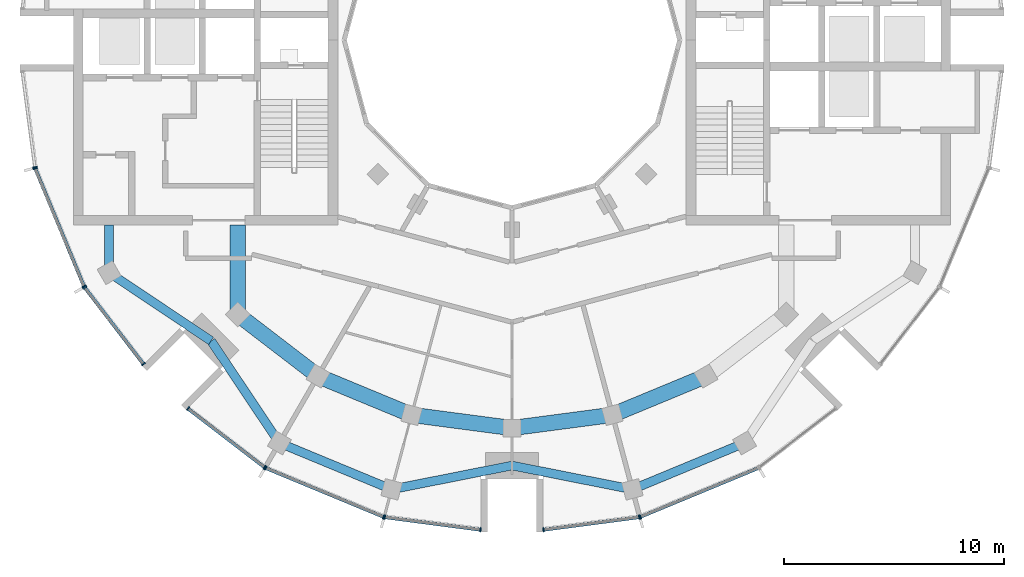
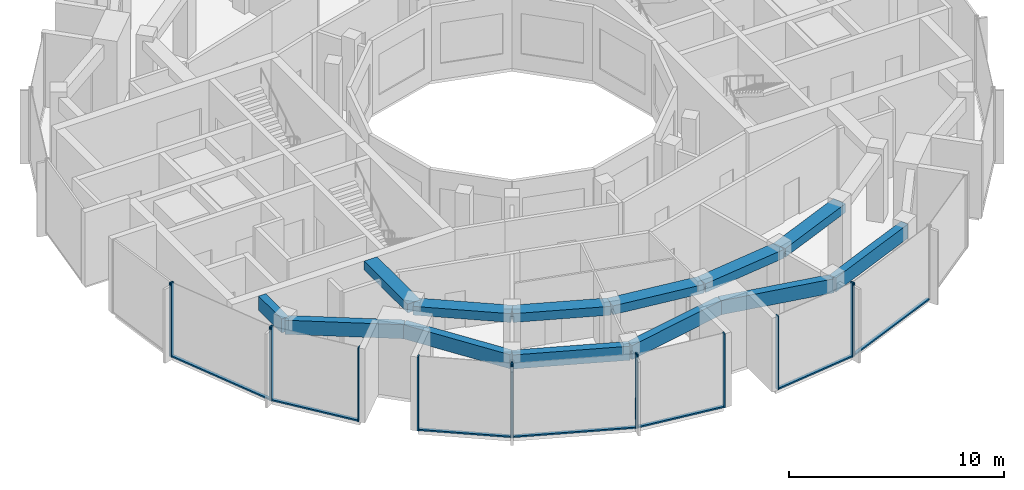
# One storey, part 2 of 13: 21 members, 13 beams, 8 elements without a shape of their own.
"""IFC4 building model written with IfcOpenShell, lengths in metres."""

from ifc_helpers import new_model, si_unit, direction, frame, origin, origin_2d, place, context, subcontext, project, spatial, rectangle, extrude, material, layer, layer_set, material_profile, profile_set, type_object, element, aggregate, save


model = new_model("IFC4")

# Units and contexts
model_context = context("Model", 3, precision=1e-05, world=origin(), true_north=direction((0.0, 1.0)))
body_context = subcontext(model_context, "Body", "Model", "MODEL_VIEW")
ifc_project = project(units=[si_unit("LENGTHUNIT", "METRE"), si_unit("AREAUNIT", "SQUARE_METRE"), si_unit("VOLUMEUNIT", "CUBIC_METRE"), si_unit("PLANEANGLEUNIT", "RADIAN"), si_unit("MASSUNIT", "GRAM", prefix="KILO")], contexts=[model_context])

# Site, building, storey
site_placement = place(None, origin())
site = spatial("IfcSite", under=ifc_project, at=site_placement, CompositionType="ELEMENT")
building_placement = place(site_placement, origin())
building = spatial("IfcBuilding", under=site, at=building_placement, Name="Torre Brocal", CompositionType="ELEMENT")
storey_placement = place(building_placement, frame((0.0, 0.0, 296.699951171875)))
storey = spatial("IfcBuildingStorey", under=building, at=storey_placement, Name="L68", CompositionType="ELEMENT", Elevation=296.699951171875)

# Curtain wall, members
ifc_material_1 = material(Name="Aluminium and glass", Category="aluminium")
ifc_layer_1 = layer(ifc_material_1, 0.199951171875)
ifc_layer_set_1 = layer_set([ifc_layer_1], Name="Aluminium and glass")
curtain_wall_type_1 = type_object("IfcCurtainWallType", Name="CW-1 CURTAIN WALL 4200 HIGH", PredefinedType="NOTDEFINED", material=ifc_layer_set_1)
curtain_wall_1_placement = place(storey_placement, origin())
curtain_wall_1 = element("IfcCurtainWall", 1, at=curtain_wall_1_placement, inside=storey, type_object=curtain_wall_type_1, Name="CW-1 RUN 14", PredefinedType="NOTDEFINED")
ifc_material_2 = material(Name="Aluminium, dark anodised", Category="aluminium")
ifc_material_profile_1 = material_profile(ifc_material_2, rectangle(XDim=0.199951171875, YDim=0.06005859375, at=origin_2d()), Name="CW-1 MULLION 60X200")
ifc_profile_set_1 = profile_set([ifc_material_profile_1], Name="Aluminium, dark anodised")
member_type_1 = type_object("IfcMemberType", Name="CW-1 MULLION 60X200", PredefinedType="MULLION", material=ifc_profile_set_1)
member_1_placement = place(storey_placement, frame((58.37548828125, 69.175048828125, 0.0), z_axis=(0.0, 0.0, 1.0), x_axis=(0.923879532545, 0.382683432284, 0.0)))
member_1 = element("IfcMember", 2, at=member_1_placement, type_object=member_type_1, Name="CW1-5 mullion 1", PredefinedType="MULLION", context=body_context, shape_type="SweptSolid", body=[
    extrude(rectangle(XDim=0.199951171875, YDim=0.06005859375, at=origin_2d()), origin(), (0.0, 0.0, 1.0), 4.199951171875),
])
member_2_placement = place(storey_placement, frame((60.59033203125, 63.828125, 0.0), z_axis=(0.0, 0.0, 1.0), x_axis=(0.923879532545, 0.382683432284, 0.0)))
member_2 = element("IfcMember", 3, at=member_2_placement, type_object=member_type_1, Name="CW1-5 mullion 2", PredefinedType="MULLION", context=body_context, shape_type="SweptSolid", body=[
    extrude(rectangle(XDim=0.199951171875, YDim=0.06005859375, at=origin_2d()), origin(), (0.0, 0.0, 1.0), 4.199951171875),
])

curtain_wall_2_placement = place(storey_placement, origin())
curtain_wall_2 = element("IfcCurtainWall", 4, at=curtain_wall_2_placement, inside=storey, type_object=curtain_wall_type_1, Name="CW-1 RUN 15", PredefinedType="NOTDEFINED")
member_3_placement = place(storey_placement, frame((60.6201171875, 63.776611328125, 0.0), z_axis=(0.0, 0.0, 1.0), x_axis=(0.793353340249, 0.608761429064, 0.0)))
member_3 = element("IfcMember", 5, at=member_3_placement, type_object=member_type_1, Name="CW1-5 mullion 1", PredefinedType="MULLION", context=body_context, shape_type="SweptSolid", body=[
    extrude(rectangle(XDim=0.199951171875, YDim=0.06005859375, at=origin_2d()), origin(), (0.0, 0.0, 1.0), 4.199951171875),
])
member_4_placement = place(storey_placement, frame((63.283447265625, 60.305419921875, 0.0), z_axis=(0.0, 0.0, 1.0), x_axis=(0.793353340249, 0.608761429064, 0.0)))
member_4 = element("IfcMember", 6, at=member_4_placement, type_object=member_type_1, Name="CW1-5 mullion 2", PredefinedType="MULLION", context=body_context, shape_type="SweptSolid", body=[
    extrude(rectangle(XDim=0.199951171875, YDim=0.06005859375, at=origin_2d()), origin(), (0.0, 0.0, 1.0), 4.199951171875),
])

curtain_wall_3_placement = place(storey_placement, origin())
curtain_wall_3 = element("IfcCurtainWall", 7, at=curtain_wall_3_placement, inside=storey, type_object=curtain_wall_type_1, Name="CW-1 RUN 16", PredefinedType="NOTDEFINED")
member_5_placement = place(storey_placement, frame((65.305419921875, 58.283447265625, 0.0), z_axis=(0.0, 0.0, 1.0), x_axis=(0.608761429064, 0.793353340249, 0.0)))
member_5 = element("IfcMember", 8, at=member_5_placement, type_object=member_type_1, Name="CW1-5 mullion 1", PredefinedType="MULLION", context=body_context, shape_type="SweptSolid", body=[
    extrude(rectangle(XDim=0.199951171875, YDim=0.06005859375, at=origin_2d()), origin(), (0.0, 0.0, 1.0), 4.199951171875),
])
member_6_placement = place(storey_placement, frame((68.776611328125, 55.6201171875, 0.0), z_axis=(0.0, 0.0, 1.0), x_axis=(0.608761429064, 0.793353340249, 0.0)))
member_6 = element("IfcMember", 9, at=member_6_placement, type_object=member_type_1, Name="CW1-5 mullion 2", PredefinedType="MULLION", context=body_context, shape_type="SweptSolid", body=[
    extrude(rectangle(XDim=0.199951171875, YDim=0.06005859375, at=origin_2d()), origin(), (0.0, 0.0, 1.0), 4.199951171875),
])

curtain_wall_4_placement = place(storey_placement, origin())
curtain_wall_4 = element("IfcCurtainWall", 10, at=curtain_wall_4_placement, inside=storey, type_object=curtain_wall_type_1, Name="CW-1 RUN 17", PredefinedType="NOTDEFINED")
member_7_placement = place(storey_placement, frame((68.828125, 55.59033203125, 0.0), z_axis=(0.0, 0.0, 1.0), x_axis=(0.382683432284, 0.923879532545, 0.0)))
member_7 = element("IfcMember", 11, at=member_7_placement, type_object=member_type_1, Name="CW1-5 mullion 1", PredefinedType="MULLION", context=body_context, shape_type="SweptSolid", body=[
    extrude(rectangle(XDim=0.199951171875, YDim=0.06005859375, at=origin_2d()), origin(), (0.0, 0.0, 1.0), 4.199951171875),
])
member_8_placement = place(storey_placement, frame((74.175048828125, 53.37548828125, 0.0), z_axis=(0.0, 0.0, 1.0), x_axis=(0.382683432284, 0.923879532545, 0.0)))
member_8 = element("IfcMember", 12, at=member_8_placement, type_object=member_type_1, Name="CW1-5 mullion 2", PredefinedType="MULLION", context=body_context, shape_type="SweptSolid", body=[
    extrude(rectangle(XDim=0.199951171875, YDim=0.06005859375, at=origin_2d()), origin(), (0.0, 0.0, 1.0), 4.199951171875),
])

curtain_wall_5_placement = place(storey_placement, origin())
curtain_wall_5 = element("IfcCurtainWall", 13, at=curtain_wall_5_placement, inside=storey, type_object=curtain_wall_type_1, Name="CW-1 RUN 18", PredefinedType="NOTDEFINED")
member_9_placement = place(storey_placement, frame((74.232421875, 53.360107421875, 0.0), z_axis=(0.0, 0.0, 1.0), x_axis=(0.13052619222, 0.991444861374, 0.0)))
member_9 = element("IfcMember", 14, at=member_9_placement, type_object=member_type_1, Name="CW1-5 mullion 1", PredefinedType="MULLION", context=body_context, shape_type="SweptSolid", body=[
    extrude(rectangle(XDim=0.199951171875, YDim=0.06005859375, at=origin_2d()), origin(), (0.0, 0.0, 1.0), 4.199951171875),
])
member_10_placement = place(storey_placement, frame((78.5703125, 52.7890625, 0.0), z_axis=(0.0, 0.0, 1.0), x_axis=(0.13052619222, 0.991444861374, 0.0)))
member_10 = element("IfcMember", 15, at=member_10_placement, type_object=member_type_1, Name="CW1-5 mullion 2", PredefinedType="MULLION", context=body_context, shape_type="SweptSolid", body=[
    extrude(rectangle(XDim=0.199951171875, YDim=0.06005859375, at=origin_2d()), origin(), (0.0, 0.0, 1.0), 4.199951171875),
])

curtain_wall_6_placement = place(storey_placement, origin())
curtain_wall_6 = element("IfcCurtainWall", 16, at=curtain_wall_6_placement, inside=storey, type_object=curtain_wall_type_1, Name="CW-1 RUN 19", PredefinedType="NOTDEFINED")
member_11_placement = place(storey_placement, frame((81.4296875, 52.7890625, 0.0), z_axis=(0.0, 0.0, 1.0), x_axis=(-0.13052619222, 0.991444861374, 0.0)))
member_11 = element("IfcMember", 17, at=member_11_placement, type_object=member_type_1, Name="CW1-5 mullion 1", PredefinedType="MULLION", context=body_context, shape_type="SweptSolid", body=[
    extrude(rectangle(XDim=0.199951171875, YDim=0.06005859375, at=origin_2d()), origin(), (0.0, 0.0, 1.0), 4.199951171875),
])
member_12_placement = place(storey_placement, frame((85.767578125, 53.360107421875, 0.0), z_axis=(0.0, 0.0, 1.0), x_axis=(-0.13052619222, 0.991444861374, 0.0)))
member_12 = element("IfcMember", 18, at=member_12_placement, type_object=member_type_1, Name="CW1-5 mullion 2", PredefinedType="MULLION", context=body_context, shape_type="SweptSolid", body=[
    extrude(rectangle(XDim=0.199951171875, YDim=0.06005859375, at=origin_2d()), origin(), (0.0, 0.0, 1.0), 4.199951171875),
])

# Curtain wall, member
curtain_wall_7_placement = place(storey_placement, origin())
curtain_wall_7 = element("IfcCurtainWall", 19, at=curtain_wall_7_placement, inside=storey, type_object=curtain_wall_type_1, Name="CW-1 RUN 20", PredefinedType="NOTDEFINED")
member_13_placement = place(storey_placement, frame((85.824951171875, 53.37548828125, 0.0), z_axis=(0.0, 0.0, 1.0), x_axis=(-0.382683432284, 0.923879532545, 0.0)))
member_13 = element("IfcMember", 20, at=member_13_placement, type_object=member_type_1, Name="CW1-5 mullion 1", PredefinedType="MULLION", context=body_context, shape_type="SweptSolid", body=[
    extrude(rectangle(XDim=0.199951171875, YDim=0.06005859375, at=origin_2d()), origin(), (0.0, 0.0, 1.0), 4.199951171875),
])

# Member
ifc_material_3 = material(Name="Aluminium, dark anodised", Category="aluminium")
ifc_material_profile_2 = material_profile(ifc_material_3, rectangle(XDim=0.159912109375, YDim=0.080078125, at=origin_2d()), Name="CW-1 TRANSOM 160X80")
ifc_profile_set_2 = profile_set([ifc_material_profile_2], Name="Aluminium, dark anodised")
member_type_2 = type_object("IfcMemberType", Name="CW-1 TRANSOM 160X80", PredefinedType="USERDEFINED", material=ifc_profile_set_2)
member_14_placement = place(storey_placement, frame((58.386962890625, 69.147216796875, 0.0400390625), z_axis=(0.382710701355, -0.923868236854, 0.0), x_axis=(0.923868236854, 0.382710701355, 0.0)))
member_14 = element("IfcMember", 21, at=member_14_placement, type_object=member_type_2, Name="CW1-5 transom 1.1", ObjectType="TRANSOM", PredefinedType="USERDEFINED", context=body_context, shape_type="SweptSolid", body=[
    extrude(rectangle(XDim=0.159912109375, YDim=0.080078125, at=origin_2d()), origin(), (0.0, 0.0, 1.0), 5.727294921875),
])

aggregate(curtain_wall_1, [member_1, member_2, member_14])

member_15_placement = place(storey_placement, frame((60.63818359375, 63.7529296875, 0.0400390625), z_axis=(0.608788976677, -0.793332201462, 0.0), x_axis=(0.793332201462, 0.608788976677, 0.0)))
member_15 = element("IfcMember", 22, at=member_15_placement, type_object=member_type_2, Name="CW1-5 transom 1.1", ObjectType="TRANSOM", PredefinedType="USERDEFINED", context=body_context, shape_type="SweptSolid", body=[
    extrude(rectangle(XDim=0.159912109375, YDim=0.080078125, at=origin_2d()), origin(), (0.0, 0.0, 1.0), 4.3154296875),
])

aggregate(curtain_wall_2, [member_3, member_4, member_15])

member_16_placement = place(storey_placement, frame((65.329345703125, 58.265380859375, 0.0400390625), z_axis=(0.793332201462, -0.608788976677, 0.0), x_axis=(0.608788976677, 0.793332201462, 0.0)))
member_16 = element("IfcMember", 23, at=member_16_placement, type_object=member_type_2, Name="CW1-5 transom 1.1", ObjectType="TRANSOM", PredefinedType="USERDEFINED", context=body_context, shape_type="SweptSolid", body=[
    extrude(rectangle(XDim=0.159912109375, YDim=0.080078125, at=origin_2d()), origin(), (0.0, 0.0, 1.0), 4.3154296875),
])

aggregate(curtain_wall_3, [member_5, member_6, member_16])

member_17_placement = place(storey_placement, frame((68.85595703125, 55.578857421875, 0.0400390625), z_axis=(0.923868236854, -0.382710701355, 0.0), x_axis=(0.382710701355, 0.923868236854, 0.0)))
member_17 = element("IfcMember", 24, at=member_17_placement, type_object=member_type_2, Name="CW1-5 transom 1.1", ObjectType="TRANSOM", PredefinedType="USERDEFINED", context=body_context, shape_type="SweptSolid", body=[
    extrude(rectangle(XDim=0.159912109375, YDim=0.080078125, at=origin_2d()), origin(), (0.0, 0.0, 1.0), 5.727294921875),
])

aggregate(curtain_wall_4, [member_7, member_8, member_17])

member_18_placement = place(storey_placement, frame((74.26220703125, 53.356201171875, 0.0400390625), z_axis=(0.991445435136, -0.130521833991, 0.0), x_axis=(0.130521833991, 0.991445435136, 0.0)))
member_18 = element("IfcMember", 25, at=member_18_placement, type_object=member_type_2, Name="CW1-5 transom 1.1", ObjectType="TRANSOM", PredefinedType="USERDEFINED", context=body_context, shape_type="SweptSolid", body=[
    extrude(rectangle(XDim=0.159912109375, YDim=0.080078125, at=origin_2d()), origin(), (0.0, 0.0, 1.0), 4.315185546875),
])

aggregate(curtain_wall_5, [member_9, member_10, member_18])

member_19_placement = place(storey_placement, frame((81.45947265625, 52.79296875, 0.0400390625), z_axis=(0.991445435136, 0.130521833991, 0.0), x_axis=(-0.130521833991, 0.991445435136, 0.0)))
member_19 = element("IfcMember", 26, at=member_19_placement, type_object=member_type_2, Name="CW1-5 transom 1.1", ObjectType="TRANSOM", PredefinedType="USERDEFINED", context=body_context, shape_type="SweptSolid", body=[
    extrude(rectangle(XDim=0.159912109375, YDim=0.080078125, at=origin_2d()), origin(), (0.0, 0.0, 1.0), 4.315185546875),
])

aggregate(curtain_wall_6, [member_11, member_12, member_19])

member_20_placement = place(storey_placement, frame((85.852783203125, 53.386962890625, 0.0400390625), z_axis=(0.923868236854, 0.382710701355, 0.0), x_axis=(-0.382710701355, 0.923868236854, 0.0)))
member_20 = element("IfcMember", 27, at=member_20_placement, type_object=member_type_2, Name="CW1-5 transom 1.1", ObjectType="TRANSOM", PredefinedType="USERDEFINED", context=body_context, shape_type="SweptSolid", body=[
    extrude(rectangle(XDim=0.159912109375, YDim=0.080078125, at=origin_2d()), origin(), (0.0, 0.0, 1.0), 5.727294921875),
])

aggregate(curtain_wall_7, [member_13, member_20])

# Curtain wall, member
ifc_material_4 = material(Name="Aluminium and glass", Category="aluminium")
ifc_layer_2 = layer(ifc_material_4, 0.199951171875)
ifc_layer_set_2 = layer_set([ifc_layer_2], Name="Aluminium and glass")
curtain_wall_type_2 = type_object("IfcCurtainWallType", Name="CW-1B CURTAIN WALL 4200 HIGH", PredefinedType="NOTDEFINED", material=ifc_layer_set_2)
curtain_wall_8_placement = place(storey_placement, origin())
curtain_wall_8 = element("IfcCurtainWall", 28, at=curtain_wall_8_placement, inside=storey, type_object=curtain_wall_type_2, Name="CW-1B RUN 13", PredefinedType="NOTDEFINED")
ifc_material_5 = material(Name="Aluminium, dark anodised", Category="aluminium")
ifc_material_profile_3 = material_profile(ifc_material_5, rectangle(XDim=0.199951171875, YDim=0.06005859375, at=origin_2d()), Name="CW-1B MULLION 60X200")
ifc_profile_set_3 = profile_set([ifc_material_profile_3], Name="Aluminium, dark anodised")
member_type_3 = type_object("IfcMemberType", Name="CW-1B MULLION 60X200", PredefinedType="MULLION", material=ifc_profile_set_3)
member_21_placement = place(storey_placement, frame((58.360107421875, 69.232421875, 0.0), z_axis=(0.0, 0.0, 1.0), x_axis=(0.991444861374, 0.13052619222, 0.0)))
member_21 = element("IfcMember", 29, at=member_21_placement, type_object=member_type_3, Name="CW1B-5 mullion 2", PredefinedType="MULLION", context=body_context, shape_type="SweptSolid", body=[
    extrude(rectangle(XDim=0.199951171875, YDim=0.06005859375, at=origin_2d()), origin(), (0.0, 0.0, 1.0), 4.199951171875),
])
aggregate(curtain_wall_8, [member_21])

# Beams
ifc_material_6 = material(Name="Concrete C50", Category="concrete")
ifc_material_profile_4 = material_profile(ifc_material_6, rectangle(XDim=0.699951171875, YDim=0.5, at=origin_2d()), Name="RC 700X500")
ifc_profile_set_4 = profile_set([ifc_material_profile_4], Name="Concrete C50")
beam_type_1 = type_object("IfcBeamType", Name="RC BEAM 700X500 C50 TOP 3880", PredefinedType="BEAM", material=ifc_profile_set_4)
beam_1_placement = place(storey_placement, frame((67.554931640625, 62.554931640625, 3.630126953125), z_axis=(0.0, 1.0, 0.0), x_axis=(-1.0, 0.0, 0.0)))
element("IfcBeam", 30, at=beam_1_placement, inside=storey, type_object=beam_type_1, Name="Beam BT-37", PredefinedType="BEAM", context=body_context, shape_type="SweptSolid", body=[
    extrude(rectangle(XDim=0.699951171875, YDim=0.5, at=origin_2d()), origin(), (0.0, 0.0, 1.0), 4.045166015625),
])
beam_2_placement = place(storey_placement, frame((67.554931640625, 62.554931640625, 3.630126953125), z_axis=(0.793358265959, -0.6087550097, 0.0), x_axis=(0.6087550097, 0.793358265959, 0.0)))
element("IfcBeam", 31, at=beam_2_placement, inside=storey, type_object=beam_type_1, Name="Beam BT-37", PredefinedType="BEAM", context=body_context, shape_type="SweptSolid", body=[
    extrude(rectangle(XDim=0.699951171875, YDim=0.5, at=origin_2d()), origin(), (0.0, 0.0, 1.0), 4.594482421875),
])
beam_3_placement = place(storey_placement, frame((71.199951171875, 59.758056640625, 3.630126953125), z_axis=(0.923878240166, -0.382686552348, 0.0), x_axis=(0.382686552348, 0.923878240166, 0.0)))
element("IfcBeam", 32, at=beam_3_placement, inside=storey, type_object=beam_type_1, Name="Beam BT-37", PredefinedType="BEAM", context=body_context, shape_type="SweptSolid", body=[
    extrude(rectangle(XDim=0.699951171875, YDim=0.5, at=origin_2d()), origin(), (0.0, 0.0, 1.0), 4.5947265625),
])
for number, where, z_axis, x_axis, name in (
    (33, (75.44482421875, 57.999755859375, 3.630126953125), (0.991440544449, -0.130558978332, 0.0), (0.130558978332, 0.991440544449, 0.0), "Beam BT-37"),
    (34, (80.0, 57.39990234375, 3.630126953125), (0.991440544449, 0.130558978332, 0.0), (-0.130558978332, 0.991440544449, 0.0), "Beam BT-37"),
):
    element("IfcBeam", number, at=place(storey_placement, frame(where, z_axis=z_axis, x_axis=x_axis)), inside=storey, type_object=beam_type_1, Name=name, PredefinedType="BEAM", context=body_context, shape_type="SweptSolid", body=[
        extrude(rectangle(XDim=0.699951171875, YDim=0.5, at=origin_2d()), origin(), (0.0, 0.0, 1.0), 4.594482421875),
    ])
beam_4_placement = place(storey_placement, frame((84.55517578125, 57.999755859375, 3.630126953125), z_axis=(0.923878240166, 0.382686552348, 0.0), x_axis=(-0.382686552348, 0.923878240166, 0.0)))
element("IfcBeam", 35, at=beam_4_placement, inside=storey, type_object=beam_type_1, Name="Beam BT-37", PredefinedType="BEAM", context=body_context, shape_type="SweptSolid", body=[
    extrude(rectangle(XDim=0.699951171875, YDim=0.5, at=origin_2d()), origin(), (0.0, 0.0, 1.0), 4.5947265625),
])
ifc_material_7 = material(Name="Concrete C50", Category="concrete")
ifc_material_profile_5 = material_profile(ifc_material_7, rectangle(XDim=0.39990234375, YDim=0.800048828125, at=origin_2d()), Name="RC 400X800")
ifc_profile_set_5 = profile_set([ifc_material_profile_5], Name="Concrete C50")
beam_type_2 = type_object("IfcBeamType", Name="RC SPANDREL BEAM 400X800 C50 TOP 3880", PredefinedType="SPANDREL", material=ifc_profile_set_5)
beam_5_placement = place(storey_placement, frame((61.726806640625, 64.449951171875, 3.47998046875), z_axis=(0.0, 1.0, 0.0), x_axis=(-1.0, 0.0, 0.0)))
element("IfcBeam", 36, at=beam_5_placement, inside=storey, type_object=beam_type_2, Name="Beam BT-47", PredefinedType="SPANDREL", context=body_context, shape_type="SweptSolid", body=[
    extrude(rectangle(XDim=0.39990234375, YDim=0.800048828125, at=origin_2d()), origin(), (0.0, 0.0, 1.0), 2.150146484375),
])
for number, where, z_axis, x_axis, name in (
    (37, (61.726806640625, 64.449951171875, 3.47998046875), (0.830955689206, -0.556338604247, 0.0), (0.556338604247, 0.830955689206, 0.0), "Beam BT-47"),
    (38, (66.352783203125, 61.352783203125, 3.47998046875), (0.556338604247, -0.830955689206, 0.0), (0.830955689206, 0.556338604247, 0.0), "Beam BT-47"),
):
    element("IfcBeam", number, at=place(storey_placement, frame(where, z_axis=z_axis, x_axis=x_axis)), inside=storey, type_object=beam_type_2, Name=name, PredefinedType="SPANDREL", context=body_context, shape_type="SweptSolid", body=[
        extrude(rectangle(XDim=0.39990234375, YDim=0.800048828125, at=origin_2d()), origin(), (0.0, 0.0, 1.0), 5.567138671875),
    ])
beam_6_placement = place(storey_placement, frame((69.449951171875, 56.726806640625, 3.47998046875), z_axis=(0.923877456038, -0.382688445377, 0.0), x_axis=(0.382688445377, 0.923877456038, 0.0)))
element("IfcBeam", 39, at=beam_6_placement, inside=storey, type_object=beam_type_2, Name="Beam BT-47", PredefinedType="SPANDREL", context=body_context, shape_type="SweptSolid", body=[
    extrude(rectangle(XDim=0.39990234375, YDim=0.800048828125, at=origin_2d()), origin(), (0.0, 0.0, 1.0), 5.508056640625),
])
for number, where, z_axis, x_axis, name in (
    (40, (74.538818359375, 54.618896484375, 3.47998046875), (0.980965024419, 0.194184502129, 0.0), (-0.194184502129, 0.980965024419, 0.0), "Beam BT-47"),
    (41, (80.0, 55.699951171875, 3.47998046875), (0.980965024419, -0.194184502129, 0.0), (0.194184502129, 0.980965024419, 0.0), "Beam BT-47"),
):
    element("IfcBeam", number, at=place(storey_placement, frame(where, z_axis=z_axis, x_axis=x_axis)), inside=storey, type_object=beam_type_2, Name=name, PredefinedType="SPANDREL", context=body_context, shape_type="SweptSolid", body=[
        extrude(rectangle(XDim=0.39990234375, YDim=0.800048828125, at=origin_2d()), origin(), (0.0, 0.0, 1.0), 5.567138671875),
    ])
beam_7_placement = place(storey_placement, frame((85.461181640625, 54.618896484375, 3.47998046875), z_axis=(0.923877456038, 0.382688445377, 0.0), x_axis=(-0.382688445377, 0.923877456038, 0.0)))
element("IfcBeam", 42, at=beam_7_placement, inside=storey, type_object=beam_type_2, Name="Beam BT-47", PredefinedType="SPANDREL", context=body_context, shape_type="SweptSolid", body=[
    extrude(rectangle(XDim=0.39990234375, YDim=0.800048828125, at=origin_2d()), origin(), (0.0, 0.0, 1.0), 5.508056640625),
])

save(model, "model.ifc")
